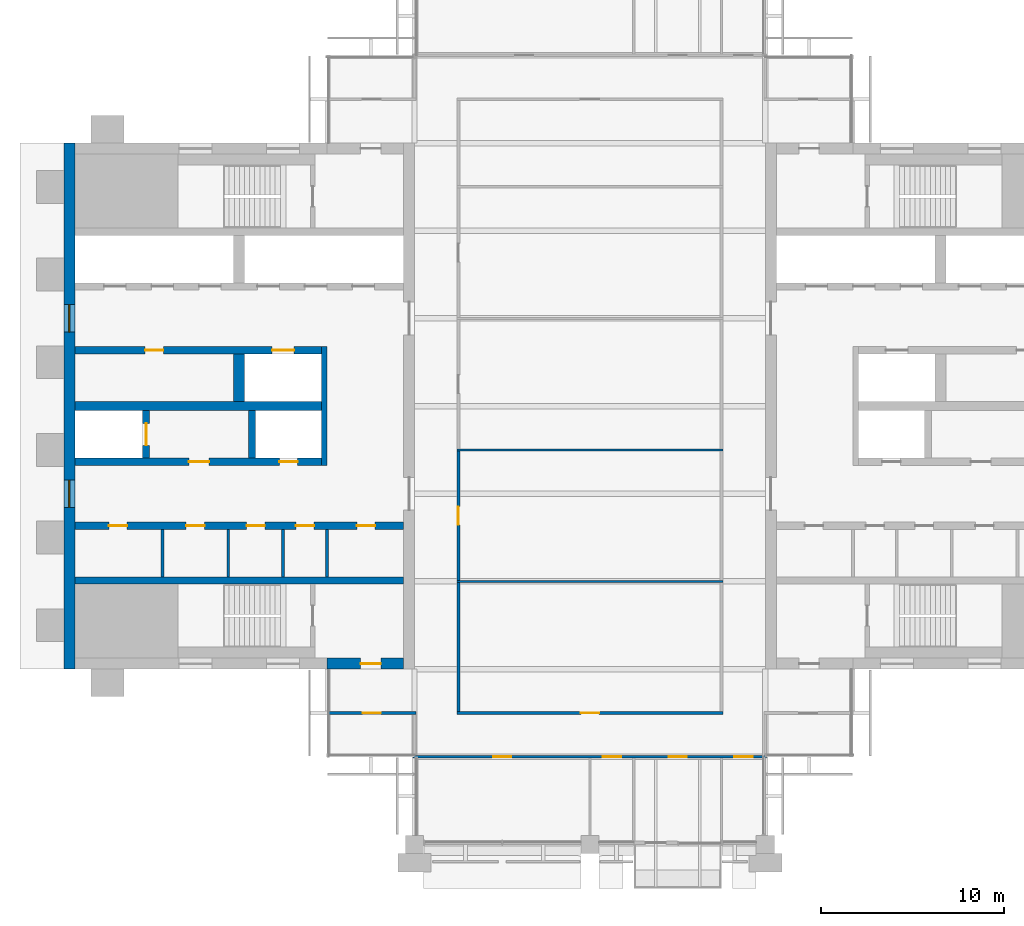
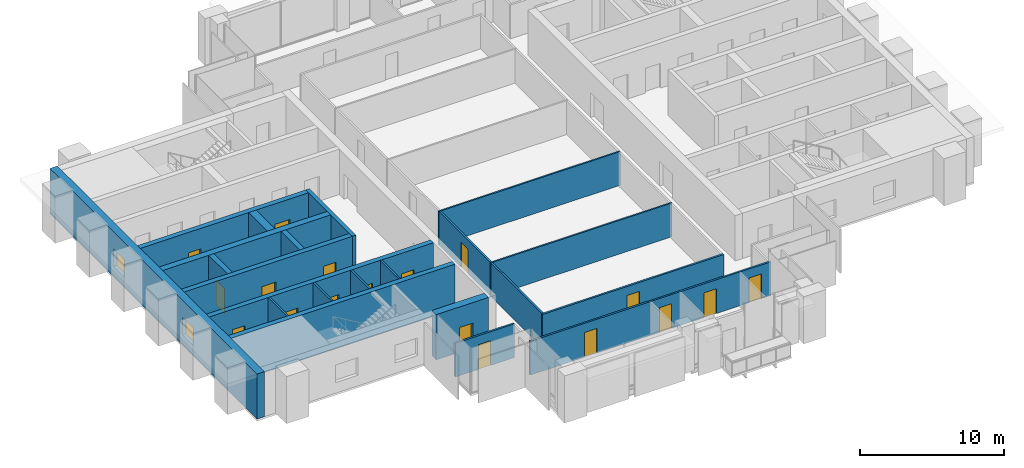
# One storey, part 8 of 13: 22 walls, 18 doors, 2 windows, 20 openings.
"""IFC4 building model written with IfcOpenShell, lengths in metres."""

from ifc_helpers import new_model, si_unit, direction, frame, frame_2d, origin, place, context, subcontext, project, spatial, rectangle, extrude, material, layer, layer_set, type_object, element, fill, save


model = new_model("IFC4")

# Units and contexts
model_context = context("Model", 3, precision=1e-05, world=origin(), true_north=direction((0.0, 1.0)))
body_context = subcontext(model_context, "Body", "Model", "MODEL_VIEW")
ifc_project = project(units=[si_unit("LENGTHUNIT", "METRE"), si_unit("AREAUNIT", "SQUARE_METRE"), si_unit("VOLUMEUNIT", "CUBIC_METRE"), si_unit("PLANEANGLEUNIT", "RADIAN"), si_unit("MASSUNIT", "GRAM", prefix="KILO")], contexts=[model_context])

# Site, building, storey
site_placement = place(None, origin())
site = spatial("IfcSite", under=ifc_project, at=site_placement, CompositionType="ELEMENT")
building_placement = place(site_placement, origin())
building = spatial("IfcBuilding", under=site, at=building_placement, Name="Baori Bourse Tower", CompositionType="ELEMENT")
storey_placement = place(building_placement, frame((0.0, 0.0, 326.300048828125)))
storey = spatial("IfcBuildingStorey", under=building, at=storey_placement, Name="L72", CompositionType="ELEMENT", Elevation=326.300048828125)

# Walls
ifc_material_1 = material(Name="Blockwork partition", Category="masonry")
ifc_layer_1 = layer(ifc_material_1, 0.14990234375)
ifc_layer_set_1 = layer_set([ifc_layer_1], Name="Core partition 150")
wall_type_1 = type_object("IfcWallType", Name="Core partition 150", PredefinedType="PARTITIONING", material=ifc_layer_set_1)
for number, where, z_axis, x_axis, name in (
    (1, (5.39990234375, 14.64990234375, 0.0), (0.0, 0.0, 1.0), (0.0, 1.0, 0.0), "Partition wall W09"),
    (2, (9.0, 14.64990234375, 0.0), (0.0, 0.0, 1.0), (0.0, 1.0, 0.0), "Partition wall W10"),
    (3, (12.0, 14.64990234375, 0.0), (0.0, 0.0, 1.0), (0.0, 1.0, 0.0), "Partition wall W11"),
    (4, (14.39990234375, 14.64990234375, 0.0), (0.0, 0.0, 1.0), (0.0, 1.0, 0.0), "Partition wall W12"),
):
    element("IfcWall", number, at=place(storey_placement, frame(where, z_axis=z_axis, x_axis=x_axis)), inside=storey, type_object=wall_type_1, Name=name, PredefinedType="PARTITIONING", context=body_context, shape_type="SweptSolid", body=[
        extrude(rectangle(XDim=2.60009765625, YDim=0.14990234375, at=frame_2d((1.300048828125, 0.0))), origin(), (0.0, 0.0, 1.0), 3.83984375),
    ])

# Wall, openings, windows
ifc_material_2 = material(Name="Concrete f'c 40 MPa", Category="concrete")
ifc_layer_2 = layer(ifc_material_2, 0.60009765625)
ifc_layer_set_2 = layer_set([ifc_layer_2], Name="Core wall 600 f'c 40")
wall_type_2 = type_object("IfcWallType", Name="Core wall 600 f'c 40", PredefinedType="SHEAR", material=ifc_layer_set_2)
wall_1_placement = place(storey_placement, frame((0.300048828125, 9.60009765625, 0.0), z_axis=(0.0, 0.0, 1.0), x_axis=(0.0, 1.0, 0.0)))
wall_1 = element("IfcWall", 5, at=wall_1_placement, inside=storey, type_object=wall_type_2, Name="Core wall W01", PredefinedType="SHEAR", context=body_context, shape_type="SweptSolid", body=[
    extrude(rectangle(XDim=28.7998046875, YDim=0.60009765625, at=frame_2d((14.39990234375, 0.0))), origin(), (0.0, 0.0, 1.0), 3.83984375),
])
opening_1_placement = place(wall_1_placement, frame((8.85009765625, 0.0, 0.89990234375)))
opening_1 = element("IfcOpeningElement", 6, at=opening_1_placement, cuts=wall_1, Name="Opening L72-KW101", PredefinedType="OPENING", context=body_context, shape_type="SweptSolid", body=[
    extrude(rectangle(XDim=1.5, YDim=1.5, at=frame_2d((0.75, 0.75))), frame((0.0, 0.31005859375, 0.0), z_axis=(0.0, -1.0, 0.0), x_axis=(1.0, 0.0, 0.0)), (0.0, 0.0, 1.0), 0.6201171875),
])
opening_2_placement = place(wall_1_placement, frame((18.449951171875, 0.0, 0.89990234375)))
opening_2 = element("IfcOpeningElement", 7, at=opening_2_placement, cuts=wall_1, Name="Opening L72-KW102", PredefinedType="OPENING", context=body_context, shape_type="SweptSolid", body=[
    extrude(rectangle(XDim=1.5, YDim=1.5, at=frame_2d((0.75, 0.75))), frame((0.0, 0.31005859375, 0.0), z_axis=(0.0, -1.0, 0.0), x_axis=(1.0, 0.0, 0.0)), (0.0, 0.0, 1.0), 0.6201171875),
])
ifc_material_3 = material(Name="Pale anodised aluminium", Category="aluminium")
window_type = type_object("IfcWindowType", Name="Lobby window 1500 x 1500", PartitioningType="SINGLE_PANEL", PredefinedType="WINDOW", material=ifc_material_3)
window_1_placement = place(opening_1_placement, origin())
window_1 = element("IfcWindow", 8, at=window_1_placement, inside=storey, type_object=window_type, Name="Outer wall window W L72 1", OverallHeight=1.5, OverallWidth=1.5, PartitioningType="SINGLE_PANEL", PredefinedType="WINDOW", context=body_context, shape_type="SweptSolid", body=[
    extrude(rectangle(XDim=1.5, YDim=1.5, at=frame_2d((0.75, 0.75))), frame((0.0, 0.030029296875, 0.0), z_axis=(0.0, -1.0, 0.0), x_axis=(1.0, 0.0, 0.0)), (0.0, 0.0, 1.0), 0.06005859375),
])
fill(opening_1, window_1)
window_2_placement = place(opening_2_placement, origin())
window_2 = element("IfcWindow", 9, at=window_2_placement, inside=storey, type_object=window_type, Name="Outer wall window W L72 2", OverallHeight=1.5, OverallWidth=1.5, PartitioningType="SINGLE_PANEL", PredefinedType="WINDOW", context=body_context, shape_type="SweptSolid", body=[
    extrude(rectangle(XDim=1.5, YDim=1.5, at=frame_2d((0.75, 0.75))), frame((0.0, 0.030029296875, 0.0), z_axis=(0.0, -1.0, 0.0), x_axis=(1.0, 0.0, 0.0)), (0.0, 0.0, 1.0), 0.06005859375),
])
fill(opening_2, window_2)

# Wall, opening, door
wall_2_placement = place(storey_placement, frame((18.60009765625, 9.89990234375, 0.0), z_axis=(0.0, 0.0, 1.0), x_axis=(-1.0, 0.0, 0.0)))
wall_2 = element("IfcWall", 10, at=wall_2_placement, inside=storey, type_object=wall_type_2, Name="Core wall W03", PredefinedType="SHEAR", context=body_context, shape_type="SweptSolid", body=[
    extrude(rectangle(XDim=4.2001953125, YDim=0.60009765625, at=frame_2d((2.10009765625, 0.0))), origin(), (0.0, 0.0, 1.0), 3.83984375),
])
opening_3_placement = place(wall_2_placement, frame((1.25, 0.0, 0.0)))
opening_3 = element("IfcOpeningElement", 11, at=opening_3_placement, cuts=wall_2, Name="Opening L72-D102", PredefinedType="OPENING", context=body_context, shape_type="SweptSolid", body=[
    extrude(rectangle(XDim=1.10009765625, YDim=2.10009765625, at=frame_2d((0.550048828125, 1.050048828125))), frame((0.0, 0.31005859375, 0.0), z_axis=(0.0, -1.0, 0.0), x_axis=(1.0, 0.0, 0.0)), (0.0, 0.0, 1.0), 0.6201171875),
])
ifc_material_4 = material(Name="Painted steel door", Category="steel")
door_type_1 = type_object("IfcDoorType", Name="Stair door 1100", OperationType="SINGLE_SWING_LEFT", PredefinedType="DOOR", material=ifc_material_4)
door_1_placement = place(opening_3_placement, origin())
door_1 = element("IfcDoor", 12, at=door_1_placement, inside=storey, type_object=door_type_1, Name="Stair vestibule door A W L72", OperationType="SINGLE_SWING_LEFT", OverallHeight=2.10009765625, OverallWidth=1.10009765625, PredefinedType="DOOR", context=body_context, shape_type="SweptSolid", body=[
    extrude(rectangle(XDim=1.10009765625, YDim=2.10009765625, at=frame_2d((0.550048828125, 1.050048828125))), frame((0.0, 0.02490234375, 0.0), z_axis=(0.0, -1.0, 0.0), x_axis=(1.0, 0.0, 0.0)), (0.0, 0.0, 1.0), 0.050048828125),
])
fill(opening_3, door_1)

# Wall, openings, doors
ifc_material_5 = material(Name="Gypsum board partition")
ifc_layer_3 = layer(ifc_material_5, 0.14990234375)
ifc_layer_set_3 = layer_set([ifc_layer_3], Name="Corridor partition 150")
wall_type_3 = type_object("IfcWallType", Name="Corridor partition 150", PredefinedType="PARTITIONING", material=ifc_layer_set_3)
wall_3_placement = place(storey_placement, frame((19.125, 4.800048828125, 0.0), z_axis=(0.0, 0.0, 1.0), x_axis=(1.0, 0.0, 0.0)))
wall_3 = element("IfcWall", 13, at=wall_3_placement, inside=storey, type_object=wall_type_3, Name="Partition", PredefinedType="PARTITIONING", context=body_context, shape_type="SweptSolid", body=[
    extrude(rectangle(XDim=19.35009765625, YDim=0.14990234375, at=frame_2d((9.675048828125, 0.0))), origin(), (0.0, 0.0, 1.0), 2.86962890625),
])
opening_4_placement = place(wall_3_placement, frame((4.375, 0.0, 0.0)))
opening_4 = element("IfcOpeningElement", 14, at=opening_4_placement, cuts=wall_3, Name="Opening L72-D01", PredefinedType="OPENING", context=body_context, shape_type="SweptSolid", body=[
    extrude(rectangle(XDim=1.0, YDim=2.10009765625, at=frame_2d((0.5, 1.050048828125))), frame((0.0, 0.0849609375, 0.0), z_axis=(0.0, -1.0, 0.0), x_axis=(1.0, 0.0, 0.0)), (0.0, 0.0, 1.0), 0.169921875),
])
opening_5_placement = place(wall_3_placement, frame((10.375, 0.0, 0.0)))
opening_5 = element("IfcOpeningElement", 15, at=opening_5_placement, cuts=wall_3, Name="Opening L72-D02", PredefinedType="OPENING", context=body_context, shape_type="SweptSolid", body=[
    extrude(rectangle(XDim=1.0, YDim=2.10009765625, at=frame_2d((0.5, 1.050048828125))), frame((0.0, 0.0849609375, 0.0), z_axis=(0.0, -1.0, 0.0), x_axis=(1.0, 0.0, 0.0)), (0.0, 0.0, 1.0), 0.169921875),
])
opening_6_placement = place(wall_3_placement, frame((13.97509765625, 0.0, 0.0)))
opening_6 = element("IfcOpeningElement", 16, at=opening_6_placement, cuts=wall_3, Name="Opening L72-D03", PredefinedType="OPENING", context=body_context, shape_type="SweptSolid", body=[
    extrude(rectangle(XDim=1.0, YDim=2.10009765625, at=frame_2d((0.5, 1.050048828125))), frame((0.0, 0.0849609375, 0.0), z_axis=(0.0, -1.0, 0.0), x_axis=(1.0, 0.0, 0.0)), (0.0, 0.0, 1.0), 0.169921875),
])
opening_7_placement = place(wall_3_placement, frame((17.574951171875, 0.0, 0.0)))
opening_7 = element("IfcOpeningElement", 17, at=opening_7_placement, cuts=wall_3, Name="Opening L72-D04", PredefinedType="OPENING", context=body_context, shape_type="SweptSolid", body=[
    extrude(rectangle(XDim=1.0, YDim=2.10009765625, at=frame_2d((0.5, 1.050048828125))), frame((0.0, 0.0849609375, 0.0), z_axis=(0.0, -1.0, 0.0), x_axis=(1.0, 0.0, 0.0)), (0.0, 0.0, 1.0), 0.169921875),
])
ifc_material_6 = material(Name="Timber door leaf", Category="wood")
door_type_2 = type_object("IfcDoorType", Name="Door 1000 x 2100", OperationType="SINGLE_SWING_LEFT", PredefinedType="DOOR", material=ifc_material_6)
door_2_placement = place(opening_4_placement, origin())
door_2 = element("IfcDoor", 18, at=door_2_placement, inside=storey, type_object=door_type_2, Name="Door", OperationType="SINGLE_SWING_LEFT", OverallHeight=2.10009765625, OverallWidth=1.0, PredefinedType="DOOR", context=body_context, shape_type="SweptSolid", body=[
    extrude(rectangle(XDim=1.0, YDim=2.10009765625, at=frame_2d((0.5, 1.050048828125))), frame((0.0, 0.02490234375, 0.0), z_axis=(0.0, -1.0, 0.0), x_axis=(1.0, 0.0, 0.0)), (0.0, 0.0, 1.0), 0.050048828125),
])
fill(opening_4, door_2)
door_3_placement = place(opening_5_placement, origin())
door_3 = element("IfcDoor", 19, at=door_3_placement, inside=storey, type_object=door_type_2, Name="Door", OperationType="SINGLE_SWING_RIGHT", OverallHeight=2.10009765625, OverallWidth=1.0, PredefinedType="DOOR", context=body_context, shape_type="SweptSolid", body=[
    extrude(rectangle(XDim=1.0, YDim=2.10009765625, at=frame_2d((0.5, 1.050048828125))), frame((0.0, 0.02490234375, 0.0), z_axis=(0.0, -1.0, 0.0), x_axis=(1.0, 0.0, 0.0)), (0.0, 0.0, 1.0), 0.050048828125),
])
fill(opening_5, door_3)
door_4_placement = place(opening_6_placement, origin())
door_4 = element("IfcDoor", 20, at=door_4_placement, inside=storey, type_object=door_type_2, Name="Door", OperationType="SINGLE_SWING_RIGHT", OverallHeight=2.10009765625, OverallWidth=1.0, PredefinedType="DOOR", context=body_context, shape_type="SweptSolid", body=[
    extrude(rectangle(XDim=1.0, YDim=2.10009765625, at=frame_2d((0.5, 1.050048828125))), frame((0.0, 0.02490234375, 0.0), z_axis=(0.0, -1.0, 0.0), x_axis=(1.0, 0.0, 0.0)), (0.0, 0.0, 1.0), 0.050048828125),
])
fill(opening_6, door_4)
door_5_placement = place(opening_7_placement, origin())
door_5 = element("IfcDoor", 21, at=door_5_placement, inside=storey, type_object=door_type_2, Name="Door", OperationType="SINGLE_SWING_RIGHT", OverallHeight=2.10009765625, OverallWidth=1.0, PredefinedType="DOOR", context=body_context, shape_type="SweptSolid", body=[
    extrude(rectangle(XDim=1.0, YDim=2.10009765625, at=frame_2d((0.5, 1.050048828125))), frame((0.0, 0.02490234375, 0.0), z_axis=(0.0, -1.0, 0.0), x_axis=(1.0, 0.0, 0.0)), (0.0, 0.0, 1.0), 0.050048828125),
])
fill(opening_7, door_5)

# Wall, opening, door
wall_4_placement = place(storey_placement, frame((14.5, 7.199951171875, 0.0), z_axis=(0.0, 0.0, 1.0), x_axis=(1.0, 0.0, 0.0)))
wall_4 = element("IfcWall", 22, at=wall_4_placement, inside=storey, type_object=wall_type_3, Name="Partition", PredefinedType="PARTITIONING", context=body_context, shape_type="SweptSolid", body=[
    extrude(rectangle(XDim=4.77490234375, YDim=0.14990234375, at=frame_2d((2.387451171875, 0.0))), origin(), (0.0, 0.0, 1.0), 2.86962890625),
])
opening_8_placement = place(wall_4_placement, frame((1.85009765625, 0.0, 0.0)))
opening_8 = element("IfcOpeningElement", 23, at=opening_8_placement, cuts=wall_4, Name="Opening L72-D05", PredefinedType="OPENING", context=body_context, shape_type="SweptSolid", body=[
    extrude(rectangle(XDim=1.0, YDim=2.10009765625, at=frame_2d((0.5, 1.050048828125))), frame((0.0, 0.0849609375, 0.0), z_axis=(0.0, -1.0, 0.0), x_axis=(1.0, 0.0, 0.0)), (0.0, 0.0, 1.0), 0.169921875),
])
door_6_placement = place(opening_8_placement, origin())
door_6 = element("IfcDoor", 24, at=door_6_placement, inside=storey, type_object=door_type_2, Name="Door", OperationType="SINGLE_SWING_LEFT", OverallHeight=2.10009765625, OverallWidth=1.0, PredefinedType="DOOR", context=body_context, shape_type="SweptSolid", body=[
    extrude(rectangle(XDim=1.0, YDim=2.10009765625, at=frame_2d((0.5, 1.050048828125))), frame((0.0, 0.02490234375, 0.0), z_axis=(0.0, -1.0, 0.0), x_axis=(1.0, 0.0, 0.0)), (0.0, 0.0, 1.0), 0.050048828125),
])
fill(opening_8, door_6)

wall_5_placement = place(storey_placement, frame((21.52490234375, 7.199951171875, 0.0), z_axis=(0.0, 0.0, 1.0), x_axis=(1.0, 0.0, 0.0)))
wall_5 = element("IfcWall", 25, at=wall_5_placement, inside=storey, type_object=wall_type_3, Name="Partition", PredefinedType="PARTITIONING", context=body_context, shape_type="SweptSolid", body=[
    extrude(rectangle(XDim=14.550048828125, YDim=0.14990234375, at=frame_2d((7.27490234375, 0.0))), origin(), (0.0, 0.0, 1.0), 2.86962890625),
])
opening_9_placement = place(wall_5_placement, frame((6.77490234375, 0.0, 0.0)))
opening_9 = element("IfcOpeningElement", 26, at=opening_9_placement, cuts=wall_5, Name="Opening L72-D06", PredefinedType="OPENING", context=body_context, shape_type="SweptSolid", body=[
    extrude(rectangle(XDim=1.0, YDim=2.10009765625, at=frame_2d((0.5, 1.050048828125))), frame((0.0, 0.0849609375, 0.0), z_axis=(0.0, -1.0, 0.0), x_axis=(1.0, 0.0, 0.0)), (0.0, 0.0, 1.0), 0.169921875),
])
door_7_placement = place(opening_9_placement, origin())
door_7 = element("IfcDoor", 27, at=door_7_placement, inside=storey, type_object=door_type_2, Name="Door", OperationType="SINGLE_SWING_RIGHT", OverallHeight=2.10009765625, OverallWidth=1.0, PredefinedType="DOOR", context=body_context, shape_type="SweptSolid", body=[
    extrude(rectangle(XDim=1.0, YDim=2.10009765625, at=frame_2d((0.5, 1.050048828125))), frame((0.0, 0.02490234375, 0.0), z_axis=(0.0, -1.0, 0.0), x_axis=(1.0, 0.0, 0.0)), (0.0, 0.0, 1.0), 0.050048828125),
])
fill(opening_9, door_7)

# Wall
wall_6_placement = place(storey_placement, frame((21.60009765625, 7.27490234375, 0.0), z_axis=(0.0, 0.0, 1.0), x_axis=(0.0, 1.0, 0.0)))
element("IfcWall", 28, at=wall_6_placement, inside=storey, type_object=wall_type_3, Name="Partition", PredefinedType="PARTITIONING", context=body_context, shape_type="SweptSolid", body=[
    extrude(rectangle(XDim=7.0625, YDim=0.14990234375, at=frame_2d((3.53125, 0.0))), origin(), (0.0, 0.0, 1.0), 2.86962890625),
])

# Wall, opening, door
wall_7_placement = place(storey_placement, frame((21.60009765625, 14.46240234375, 0.0), z_axis=(0.0, 0.0, 1.0), x_axis=(0.0, 1.0, 0.0)))
wall_7 = element("IfcWall", 29, at=wall_7_placement, inside=storey, type_object=wall_type_3, Name="Partition", PredefinedType="PARTITIONING", context=body_context, shape_type="SweptSolid", body=[
    extrude(rectangle(XDim=7.0751953125, YDim=0.14990234375, at=frame_2d((3.53759765625, 0.0))), origin(), (0.0, 0.0, 1.0), 2.86962890625),
])
opening_10_placement = place(wall_7_placement, frame((3.03759765625, 0.0, 0.0)))
opening_10 = element("IfcOpeningElement", 30, at=opening_10_placement, cuts=wall_7, Name="Opening L72-D14", PredefinedType="OPENING", context=body_context, shape_type="SweptSolid", body=[
    extrude(rectangle(XDim=1.0, YDim=2.10009765625, at=frame_2d((0.5, 1.050048828125))), frame((0.0, 0.0849609375, 0.0), z_axis=(0.0, -1.0, 0.0), x_axis=(1.0, 0.0, 0.0)), (0.0, 0.0, 1.0), 0.169921875),
])
door_8_placement = place(opening_10_placement, origin())
door_8 = element("IfcDoor", 31, at=door_8_placement, inside=storey, type_object=door_type_2, Name="Door", OperationType="SINGLE_SWING_LEFT", OverallHeight=2.10009765625, OverallWidth=1.0, PredefinedType="DOOR", context=body_context, shape_type="SweptSolid", body=[
    extrude(rectangle(XDim=1.0, YDim=2.10009765625, at=frame_2d((0.5, 1.050048828125))), frame((0.0, 0.02490234375, 0.0), z_axis=(0.0, -1.0, 0.0), x_axis=(1.0, 0.0, 0.0)), (0.0, 0.0, 1.0), 0.050048828125),
])
fill(opening_10, door_8)

# Walls
ifc_material_7 = material(Name="Gypsum board partition")
ifc_layer_4 = layer(ifc_material_7, 0.125)
ifc_layer_set_4 = layer_set([ifc_layer_4], Name="Partition 125")
wall_type_4 = type_object("IfcWallType", Name="Partition 125", PredefinedType="PARTITIONING", material=ifc_layer_set_4)
for number, where, z_axis, x_axis, name in (
    (32, (21.52490234375, 14.39990234375, 0.0), (0.0, 0.0, 1.0), (1.0, 0.0, 0.0), "Partition"),
    (33, (21.52490234375, 21.60009765625, 0.0), (0.0, 0.0, 1.0), (1.0, 0.0, 0.0), "Partition"),
):
    element("IfcWall", number, at=place(storey_placement, frame(where, z_axis=z_axis, x_axis=x_axis)), inside=storey, type_object=wall_type_4, Name=name, PredefinedType="PARTITIONING", context=body_context, shape_type="SweptSolid", body=[
        extrude(rectangle(XDim=14.550048828125, YDim=0.125, at=frame_2d((7.27490234375, 0.0))), origin(), (0.0, 0.0, 1.0), 2.86962890625),
    ])
ifc_material_8 = material(Name="Concrete f'c 40 MPa", Category="concrete")
ifc_layer_5 = layer(ifc_material_8, 0.300048828125)
ifc_layer_set_5 = layer_set([ifc_layer_5], Name="Shaft wall 300 f'c 40")
wall_type_5 = type_object("IfcWallType", Name="Shaft wall 300 f'c 40", PredefinedType="SHEAR", material=ifc_layer_set_5)
wall_8_placement = place(storey_placement, frame((14.25, 20.75, 0.0), z_axis=(0.0, 0.0, 1.0), x_axis=(0.0, 1.0, 0.0)))
element("IfcWall", 34, at=wall_8_placement, inside=storey, type_object=wall_type_5, Name="Core wall W15", PredefinedType="SHEAR", context=body_context, shape_type="SweptSolid", body=[
    extrude(rectangle(XDim=6.5, YDim=0.300048828125, at=frame_2d((3.25, 0.0))), origin(), (0.0, 0.0, 1.0), 3.83984375),
])
ifc_material_9 = material(Name="Concrete f'c 40 MPa", Category="concrete")
ifc_layer_6 = layer(ifc_material_9, 0.39990234375)
ifc_layer_set_6 = layer_set([ifc_layer_6], Name="Shaft wall 400 f'c 40")
wall_type_6 = type_object("IfcWallType", Name="Shaft wall 400 f'c 40", PredefinedType="SHEAR", material=ifc_layer_set_6)
wall_9_placement = place(storey_placement, frame((0.60009765625, 14.449951171875, 0.0), z_axis=(0.0, 0.0, 1.0), x_axis=(1.0, 0.0, 0.0)))
element("IfcWall", 35, at=wall_9_placement, inside=storey, type_object=wall_type_6, Name="Core wall W08", PredefinedType="SHEAR", context=body_context, shape_type="SweptSolid", body=[
    extrude(rectangle(XDim=18.0, YDim=0.39990234375, at=frame_2d((9.0, 0.0))), origin(), (0.0, 0.0, 1.0), 3.83984375),
])

# Wall, openings, doors
wall_10_placement = place(storey_placement, frame((0.60009765625, 17.449951171875, 0.0), z_axis=(0.0, 0.0, 1.0), x_axis=(1.0, 0.0, 0.0)))
wall_10 = element("IfcWall", 36, at=wall_10_placement, inside=storey, type_object=wall_type_6, Name="Core wall W13", PredefinedType="SHEAR", context=body_context, shape_type="SweptSolid", body=[
    extrude(rectangle(XDim=18.0, YDim=0.39990234375, at=frame_2d((9.0, 0.0))), origin(), (0.0, 0.0, 1.0), 3.83984375),
])
opening_11_placement = place(wall_10_placement, frame((1.862548828125, 0.0, 0.0)))
opening_11 = element("IfcOpeningElement", 37, at=opening_11_placement, cuts=wall_10, Name="Opening L72-D109", PredefinedType="OPENING", context=body_context, shape_type="SweptSolid", body=[
    extrude(rectangle(XDim=1.0, YDim=2.10009765625, at=frame_2d((0.5, 1.050048828125))), frame((0.0, 0.2099609375, 0.0), z_axis=(0.0, -1.0, 0.0), x_axis=(1.0, 0.0, 0.0)), (0.0, 0.0, 1.0), 0.419921875),
])
opening_12_placement = place(wall_10_placement, frame((6.10009765625, 0.0, 0.0)))
opening_12 = element("IfcOpeningElement", 38, at=opening_12_placement, cuts=wall_10, Name="Opening L72-D110", PredefinedType="OPENING", context=body_context, shape_type="SweptSolid", body=[
    extrude(rectangle(XDim=1.0, YDim=2.10009765625, at=frame_2d((0.5, 1.050048828125))), frame((0.0, 0.2099609375, 0.0), z_axis=(0.0, -1.0, 0.0), x_axis=(1.0, 0.0, 0.0)), (0.0, 0.0, 1.0), 0.419921875),
])
opening_13_placement = place(wall_10_placement, frame((9.39990234375, 0.0, 0.0)))
opening_13 = element("IfcOpeningElement", 39, at=opening_13_placement, cuts=wall_10, Name="Opening L72-D111", PredefinedType="OPENING", context=body_context, shape_type="SweptSolid", body=[
    extrude(rectangle(XDim=1.0, YDim=2.10009765625, at=frame_2d((0.5, 1.050048828125))), frame((0.0, 0.2099609375, 0.0), z_axis=(0.0, -1.0, 0.0), x_axis=(1.0, 0.0, 0.0)), (0.0, 0.0, 1.0), 0.419921875),
])
opening_14_placement = place(wall_10_placement, frame((12.10009765625, 0.0, 0.0)))
opening_14 = element("IfcOpeningElement", 40, at=opening_14_placement, cuts=wall_10, Name="Opening L72-D112", PredefinedType="OPENING", context=body_context, shape_type="SweptSolid", body=[
    extrude(rectangle(XDim=1.0, YDim=2.10009765625, at=frame_2d((0.5, 1.050048828125))), frame((0.0, 0.2099609375, 0.0), z_axis=(0.0, -1.0, 0.0), x_axis=(1.0, 0.0, 0.0)), (0.0, 0.0, 1.0), 0.419921875),
])
opening_15_placement = place(wall_10_placement, frame((15.4375, 0.0, 0.0)))
opening_15 = element("IfcOpeningElement", 41, at=opening_15_placement, cuts=wall_10, Name="Opening L72-D113", PredefinedType="OPENING", context=body_context, shape_type="SweptSolid", body=[
    extrude(rectangle(XDim=1.0, YDim=2.10009765625, at=frame_2d((0.5, 1.050048828125))), frame((0.0, 0.2099609375, 0.0), z_axis=(0.0, -1.0, 0.0), x_axis=(1.0, 0.0, 0.0)), (0.0, 0.0, 1.0), 0.419921875),
])
ifc_material_10 = material(Name="Painted steel door", Category="steel")
door_type_3 = type_object("IfcDoorType", Name="Core door 1000", OperationType="SINGLE_SWING_LEFT", PredefinedType="DOOR", material=ifc_material_10)
door_9_placement = place(opening_11_placement, origin())
door_9 = element("IfcDoor", 42, at=door_9_placement, inside=storey, type_object=door_type_3, Name="Men'S Wc door W L72", OperationType="SINGLE_SWING_LEFT", OverallHeight=2.10009765625, OverallWidth=1.0, PredefinedType="DOOR", context=body_context, shape_type="SweptSolid", body=[
    extrude(rectangle(XDim=1.0, YDim=2.10009765625, at=frame_2d((0.5, 1.050048828125))), frame((0.0, 0.02490234375, 0.0), z_axis=(0.0, -1.0, 0.0), x_axis=(1.0, 0.0, 0.0)), (0.0, 0.0, 1.0), 0.050048828125),
])
fill(opening_11, door_9)
door_10_placement = place(opening_12_placement, origin())
door_10 = element("IfcDoor", 43, at=door_10_placement, inside=storey, type_object=door_type_3, Name="Women'S Wc door W L72", OperationType="SINGLE_SWING_LEFT", OverallHeight=2.10009765625, OverallWidth=1.0, PredefinedType="DOOR", context=body_context, shape_type="SweptSolid", body=[
    extrude(rectangle(XDim=1.0, YDim=2.10009765625, at=frame_2d((0.5, 1.050048828125))), frame((0.0, 0.02490234375, 0.0), z_axis=(0.0, -1.0, 0.0), x_axis=(1.0, 0.0, 0.0)), (0.0, 0.0, 1.0), 0.050048828125),
])
fill(opening_12, door_10)
door_11_placement = place(opening_14_placement, origin())
door_11 = element("IfcDoor", 44, at=door_11_placement, inside=storey, type_object=door_type_3, Name="Pantry door W L72", OperationType="SINGLE_SWING_LEFT", OverallHeight=2.10009765625, OverallWidth=1.0, PredefinedType="DOOR", context=body_context, shape_type="SweptSolid", body=[
    extrude(rectangle(XDim=1.0, YDim=2.10009765625, at=frame_2d((0.5, 1.050048828125))), frame((0.0, 0.02490234375, 0.0), z_axis=(0.0, -1.0, 0.0), x_axis=(1.0, 0.0, 0.0)), (0.0, 0.0, 1.0), 0.050048828125),
])
fill(opening_14, door_11)
door_12_placement = place(opening_15_placement, origin())
door_12 = element("IfcDoor", 45, at=door_12_placement, inside=storey, type_object=door_type_3, Name="Accessible Wc door W L72", OperationType="SINGLE_SWING_LEFT", OverallHeight=2.10009765625, OverallWidth=1.0, PredefinedType="DOOR", context=body_context, shape_type="SweptSolid", body=[
    extrude(rectangle(XDim=1.0, YDim=2.10009765625, at=frame_2d((0.5, 1.050048828125))), frame((0.0, 0.02490234375, 0.0), z_axis=(0.0, -1.0, 0.0), x_axis=(1.0, 0.0, 0.0)), (0.0, 0.0, 1.0), 0.050048828125),
])
fill(opening_15, door_12)
ifc_material_11 = material(Name="Painted steel door", Category="steel")
door_type_4 = type_object("IfcDoorType", Name="Plant room door 1000", OperationType="SINGLE_SWING_LEFT", PredefinedType="DOOR", material=ifc_material_11)
door_13_placement = place(opening_13_placement, origin())
door_13 = element("IfcDoor", 46, at=door_13_placement, inside=storey, type_object=door_type_4, Name="Electrical Room door W L72", OperationType="SINGLE_SWING_LEFT", OverallHeight=2.10009765625, OverallWidth=1.0, PredefinedType="DOOR", context=body_context, shape_type="SweptSolid", body=[
    extrude(rectangle(XDim=1.0, YDim=2.10009765625, at=frame_2d((0.5, 1.050048828125))), frame((0.0, 0.02490234375, 0.0), z_axis=(0.0, -1.0, 0.0), x_axis=(1.0, 0.0, 0.0)), (0.0, 0.0, 1.0), 0.050048828125),
])
fill(opening_13, door_13)

wall_11_placement = place(storey_placement, frame((0.60009765625, 20.949951171875, 0.0), z_axis=(0.0, 0.0, 1.0), x_axis=(1.0, 0.0, 0.0)))
wall_11 = element("IfcWall", 47, at=wall_11_placement, inside=storey, type_object=wall_type_6, Name="Core wall W14", PredefinedType="SHEAR", context=body_context, shape_type="SweptSolid", body=[
    extrude(rectangle(XDim=13.5, YDim=0.39990234375, at=frame_2d((6.75, 0.0))), origin(), (0.0, 0.0, 1.0), 3.83984375),
])
opening_16_placement = place(wall_11_placement, frame((6.25, 0.0, 0.0)))
opening_16 = element("IfcOpeningElement", 48, at=opening_16_placement, cuts=wall_11, Name="Opening L72-D105", PredefinedType="OPENING", context=body_context, shape_type="SweptSolid", body=[
    extrude(rectangle(XDim=1.10009765625, YDim=2.10009765625, at=frame_2d((0.550048828125, 1.050048828125))), frame((0.0, 0.2099609375, 0.0), z_axis=(0.0, -1.0, 0.0), x_axis=(1.0, 0.0, 0.0)), (0.0, 0.0, 1.0), 0.419921875),
])
opening_17_placement = place(wall_11_placement, frame((11.199951171875, 0.0, 0.0)))
opening_17 = element("IfcOpeningElement", 49, at=opening_17_placement, cuts=wall_11, Name="Opening L72-D106", PredefinedType="OPENING", context=body_context, shape_type="SweptSolid", body=[
    extrude(rectangle(XDim=1.0, YDim=2.10009765625, at=frame_2d((0.5, 1.050048828125))), frame((0.0, 0.2099609375, 0.0), z_axis=(0.0, -1.0, 0.0), x_axis=(1.0, 0.0, 0.0)), (0.0, 0.0, 1.0), 0.419921875),
])
ifc_material_12 = material(Name="Painted steel door", Category="steel")
door_type_5 = type_object("IfcDoorType", Name="Lobby door 1100", OperationType="SINGLE_SWING_LEFT", PredefinedType="DOOR", material=ifc_material_12)
door_14_placement = place(opening_16_placement, origin())
door_14 = element("IfcDoor", 50, at=door_14_placement, inside=storey, type_object=door_type_5, Name="Firefighting lobby door W L72", OperationType="SINGLE_SWING_LEFT", OverallHeight=2.10009765625, OverallWidth=1.10009765625, PredefinedType="DOOR", context=body_context, shape_type="SweptSolid", body=[
    extrude(rectangle(XDim=1.10009765625, YDim=2.10009765625, at=frame_2d((0.550048828125, 1.050048828125))), frame((0.0, 0.02490234375, 0.0), z_axis=(0.0, -1.0, 0.0), x_axis=(1.0, 0.0, 0.0)), (0.0, 0.0, 1.0), 0.050048828125),
])
fill(opening_16, door_14)
ifc_material_13 = material(Name="Painted steel door", Category="steel")
door_type_6 = type_object("IfcDoorType", Name="Shaft door 1000", OperationType="SINGLE_SWING_LEFT", PredefinedType="DOOR", material=ifc_material_13)
door_15_placement = place(opening_17_placement, origin())
door_15 = element("IfcDoor", 51, at=door_15_placement, inside=storey, type_object=door_type_6, Name="Riser room door W L72", OperationType="SINGLE_SWING_LEFT", OverallHeight=2.10009765625, OverallWidth=1.0, PredefinedType="DOOR", context=body_context, shape_type="SweptSolid", body=[
    extrude(rectangle(XDim=1.0, YDim=2.10009765625, at=frame_2d((0.5, 1.050048828125))), frame((0.0, 0.02490234375, 0.0), z_axis=(0.0, -1.0, 0.0), x_axis=(1.0, 0.0, 0.0)), (0.0, 0.0, 1.0), 0.050048828125),
])
fill(opening_17, door_15)

# Wall, opening, door
wall_12_placement = place(storey_placement, frame((4.5, 21.14990234375, 0.0), z_axis=(0.0, 0.0, 1.0), x_axis=(0.0, 1.0, 0.0)))
wall_12 = element("IfcWall", 52, at=wall_12_placement, inside=storey, type_object=wall_type_6, Name="Core wall W16", PredefinedType="SHEAR", context=body_context, shape_type="SweptSolid", body=[
    extrude(rectangle(XDim=2.60009765625, YDim=0.39990234375, at=frame_2d((1.300048828125, 0.0))), origin(), (0.0, 0.0, 1.0), 3.83984375),
])
opening_18_placement = place(wall_12_placement, frame((0.699951171875, 0.0, 0.0)))
opening_18 = element("IfcOpeningElement", 53, at=opening_18_placement, cuts=wall_12, Name="Opening L72-D122", PredefinedType="OPENING", context=body_context, shape_type="SweptSolid", body=[
    extrude(rectangle(XDim=1.199951171875, YDim=2.10009765625, at=frame_2d((0.60009765625, 1.050048828125))), frame((0.0, 0.2099609375, 0.0), z_axis=(0.0, -1.0, 0.0), x_axis=(1.0, 0.0, 0.0)), (0.0, 0.0, 1.0), 0.419921875),
])
ifc_material_14 = material(Name="Stainless steel door", Category="steel")
door_type_7 = type_object("IfcDoorType", Name="Lift landing door", OperationType="DOUBLE_DOOR_SLIDING", PredefinedType="DOOR", material=ifc_material_14)
door_16_placement = place(opening_18_placement, origin())
door_16 = element("IfcDoor", 54, at=door_16_placement, inside=storey, type_object=door_type_7, Name="Lift landing door FF1 W L72", OperationType="DOUBLE_DOOR_SLIDING", OverallHeight=2.10009765625, OverallWidth=1.199951171875, PredefinedType="DOOR", context=body_context, shape_type="SweptSolid", body=[
    extrude(rectangle(XDim=1.199951171875, YDim=2.10009765625, at=frame_2d((0.60009765625, 1.050048828125))), frame((0.0, 0.02490234375, 0.0), z_axis=(0.0, -1.0, 0.0), x_axis=(1.0, 0.0, 0.0)), (0.0, 0.0, 1.0), 0.050048828125),
])
fill(opening_18, door_16)

# Wall
wall_13_placement = place(storey_placement, frame((10.300048828125, 21.14990234375, 0.0), z_axis=(0.0, 0.0, 1.0), x_axis=(0.0, 1.0, 0.0)))
element("IfcWall", 55, at=wall_13_placement, inside=storey, type_object=wall_type_6, Name="Core wall W17", PredefinedType="SHEAR", context=body_context, shape_type="SweptSolid", body=[
    extrude(rectangle(XDim=2.60009765625, YDim=0.39990234375, at=frame_2d((1.300048828125, 0.0))), origin(), (0.0, 0.0, 1.0), 3.83984375),
])

# Wall, openings, doors
wall_14_placement = place(storey_placement, frame((0.60009765625, 27.050048828125, 0.0), z_axis=(0.0, 0.0, 1.0), x_axis=(1.0, 0.0, 0.0)))
wall_14 = element("IfcWall", 56, at=wall_14_placement, inside=storey, type_object=wall_type_6, Name="Core wall W20", PredefinedType="SHEAR", context=body_context, shape_type="SweptSolid", body=[
    extrude(rectangle(XDim=13.5, YDim=0.39990234375, at=frame_2d((6.75, 0.0))), origin(), (0.0, 0.0, 1.0), 3.83984375),
])
opening_19_placement = place(wall_14_placement, frame((3.85009765625, 0.0, 0.0)))
opening_19 = element("IfcOpeningElement", 57, at=opening_19_placement, cuts=wall_14, Name="Opening L72-D114", PredefinedType="OPENING", context=body_context, shape_type="SweptSolid", body=[
    extrude(rectangle(XDim=1.0, YDim=2.10009765625, at=frame_2d((0.5, 1.050048828125))), frame((0.0, 0.2099609375, 0.0), z_axis=(0.0, -1.0, 0.0), x_axis=(1.0, 0.0, 0.0)), (0.0, 0.0, 1.0), 0.419921875),
])
opening_20_placement = place(wall_14_placement, frame((10.800048828125, 0.0, 0.0)))
opening_20 = element("IfcOpeningElement", 58, at=opening_20_placement, cuts=wall_14, Name="Opening L72-D121", PredefinedType="OPENING", context=body_context, shape_type="SweptSolid", body=[
    extrude(rectangle(XDim=1.199951171875, YDim=2.10009765625, at=frame_2d((0.60009765625, 1.050048828125))), frame((0.0, 0.2099609375, 0.0), z_axis=(0.0, -1.0, 0.0), x_axis=(1.0, 0.0, 0.0)), (0.0, 0.0, 1.0), 0.419921875),
])
door_17_placement = place(opening_19_placement, origin())
door_17 = element("IfcDoor", 59, at=door_17_placement, inside=storey, type_object=door_type_3, Name="Recycling Room door W L72", OperationType="SINGLE_SWING_LEFT", OverallHeight=2.10009765625, OverallWidth=1.0, PredefinedType="DOOR", context=body_context, shape_type="SweptSolid", body=[
    extrude(rectangle(XDim=1.0, YDim=2.10009765625, at=frame_2d((0.5, 1.050048828125))), frame((0.0, 0.02490234375, 0.0), z_axis=(0.0, -1.0, 0.0), x_axis=(1.0, 0.0, 0.0)), (0.0, 0.0, 1.0), 0.050048828125),
])
fill(opening_19, door_17)
door_18_placement = place(opening_20_placement, origin())
door_18 = element("IfcDoor", 60, at=door_18_placement, inside=storey, type_object=door_type_7, Name="Lift landing door SV1 W L72", OperationType="DOUBLE_DOOR_SLIDING", OverallHeight=2.10009765625, OverallWidth=1.199951171875, PredefinedType="DOOR", context=body_context, shape_type="SweptSolid", body=[
    extrude(rectangle(XDim=1.199951171875, YDim=2.10009765625, at=frame_2d((0.60009765625, 1.050048828125))), frame((0.0, 0.02490234375, 0.0), z_axis=(0.0, -1.0, 0.0), x_axis=(1.0, 0.0, 0.0)), (0.0, 0.0, 1.0), 0.050048828125),
])
fill(opening_20, door_18)

# Walls
ifc_material_15 = material(Name="Concrete f'c 40 MPa", Category="concrete")
ifc_layer_7 = layer(ifc_material_15, 0.5)
ifc_layer_set_7 = layer_set([ifc_layer_7], Name="Shaft wall 500 f'c 40")
wall_type_7 = type_object("IfcWallType", Name="Shaft wall 500 f'c 40", PredefinedType="SHEAR", material=ifc_layer_set_7)
wall_15_placement = place(storey_placement, frame((0.60009765625, 24.0, 0.0), z_axis=(0.0, 0.0, 1.0), x_axis=(1.0, 0.0, 0.0)))
element("IfcWall", 61, at=wall_15_placement, inside=storey, type_object=wall_type_7, Name="Core wall W18", PredefinedType="SHEAR", context=body_context, shape_type="SweptSolid", body=[
    extrude(rectangle(XDim=13.5, YDim=0.5, at=frame_2d((6.75, 0.0))), origin(), (0.0, 0.0, 1.0), 3.83984375),
])
ifc_material_16 = material(Name="Concrete f'c 40 MPa", Category="concrete")
ifc_layer_8 = layer(ifc_material_16, 0.60009765625)
ifc_layer_set_8 = layer_set([ifc_layer_8], Name="Shaft wall 600 f'c 40")
wall_type_8 = type_object("IfcWallType", Name="Shaft wall 600 f'c 40", PredefinedType="SHEAR", material=ifc_layer_set_8)
wall_16_placement = place(storey_placement, frame((9.60009765625, 24.25, 0.0), z_axis=(0.0, 0.0, 1.0), x_axis=(0.0, 1.0, 0.0)))
element("IfcWall", 62, at=wall_16_placement, inside=storey, type_object=wall_type_8, Name="Core wall W19", PredefinedType="SHEAR", context=body_context, shape_type="SweptSolid", body=[
    extrude(rectangle(XDim=2.60009765625, YDim=0.60009765625, at=frame_2d((1.300048828125, 0.0))), origin(), (0.0, 0.0, 1.0), 3.83984375),
])

save(model, "model.ifc")
